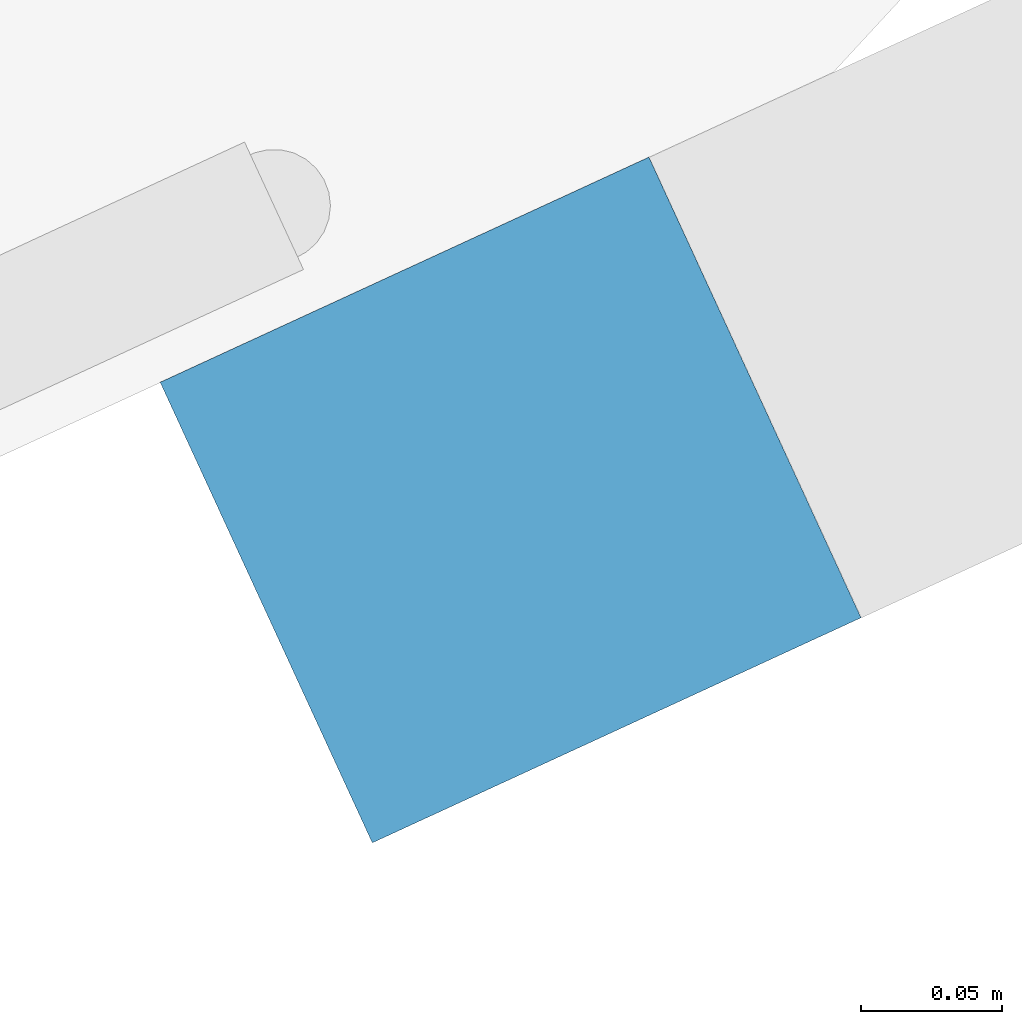
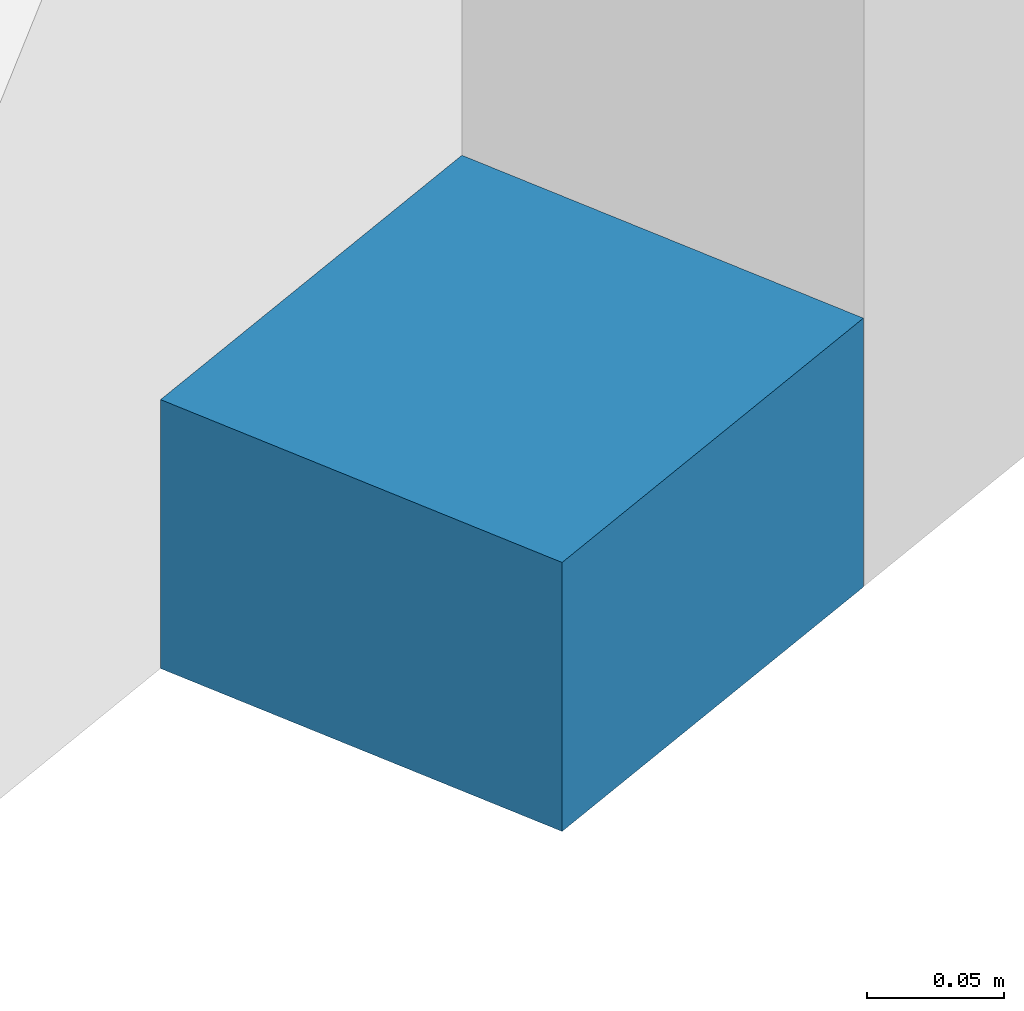
# One storey, part 15 of 26: 1 member, 1 element without a shape of its own.
"""IFC4 building model written with IfcOpenShell, lengths in metres."""

from ifc_helpers import new_model, si_unit, direction, frame, origin, origin_2d, place, context, subcontext, project, spatial, rectangle, extrude, material, material_profile, profile_set, type_object, element, aggregate, save


model = new_model("IFC4")

# Units and contexts
model_context = context("Model", 3, precision=1e-05, world=origin(), true_north=direction((0.0, 1.0)))
body_context = subcontext(model_context, "Body", "Model", "MODEL_VIEW")
ifc_project = project(units=[si_unit("LENGTHUNIT", "METRE"), si_unit("AREAUNIT", "SQUARE_METRE"), si_unit("VOLUMEUNIT", "CUBIC_METRE"), si_unit("PLANEANGLEUNIT", "RADIAN"), si_unit("MASSUNIT", "GRAM", prefix="KILO")], contexts=[model_context])

# Site, building, storey
site_placement = place(None, origin())
site = spatial("IfcSite", under=ifc_project, at=site_placement, CompositionType="ELEMENT")
building_placement = place(site_placement, origin())
building = spatial("IfcBuilding", under=site, at=building_placement, Name="Orlundy Tower", CompositionType="ELEMENT")
storey_placement = place(building_placement, frame((0.0, 0.0, 214.0)))
storey = spatial("IfcBuildingStorey", under=building, at=storey_placement, Name="L56", CompositionType="ELEMENT", Elevation=214.0)

# Curtain wall, member
ifc_material_1 = material(Name="Aluminium bronze anodised", Category="aluminium")
curtain_wall_type = type_object("IfcCurtainWallType", Name="CW1 wall", PredefinedType="NOTDEFINED", material=ifc_material_1)
curtain_wall_placement = place(storey_placement, origin())
curtain_wall = element("IfcCurtainWall", 1, at=curtain_wall_placement, inside=storey, type_object=curtain_wall_type, Name="CW1 run 015", PredefinedType="NOTDEFINED")
ifc_material_2 = material(Name="Aluminium bronze anodised", Category="aluminium")
ifc_material_profile = material_profile(ifc_material_2, rectangle(XDim=0.179931640625, YDim=0.1201171875, at=origin_2d()), Name="CW1 transom 180x120")
ifc_profile_set = profile_set([ifc_material_profile], Name="Aluminium bronze anodised")
member_type = type_object("IfcMemberType", Name="CW1 transom 180x120", PredefinedType="USERDEFINED", material=ifc_profile_set)
member_placement = place(storey_placement, frame((37.17822265625, -11.00390625, -0.340087890625), z_axis=(-0.908296074707, -0.418327910463, 0.0), x_axis=(0.418327910463, -0.908296074707, 0.0)))
member = element("IfcMember", 2, at=member_placement, type_object=member_type, Name="CW1 transom", ObjectType="TRANSOM", PredefinedType="USERDEFINED", context=body_context, shape_type="SweptSolid", body=[
    extrude(rectangle(XDim=0.179931640625, YDim=0.1201171875, at=origin_2d()), origin(), (0.0, 0.0, 1.0), 0.19091796875),
])
aggregate(curtain_wall, [member])

save(model, "model.ifc")
